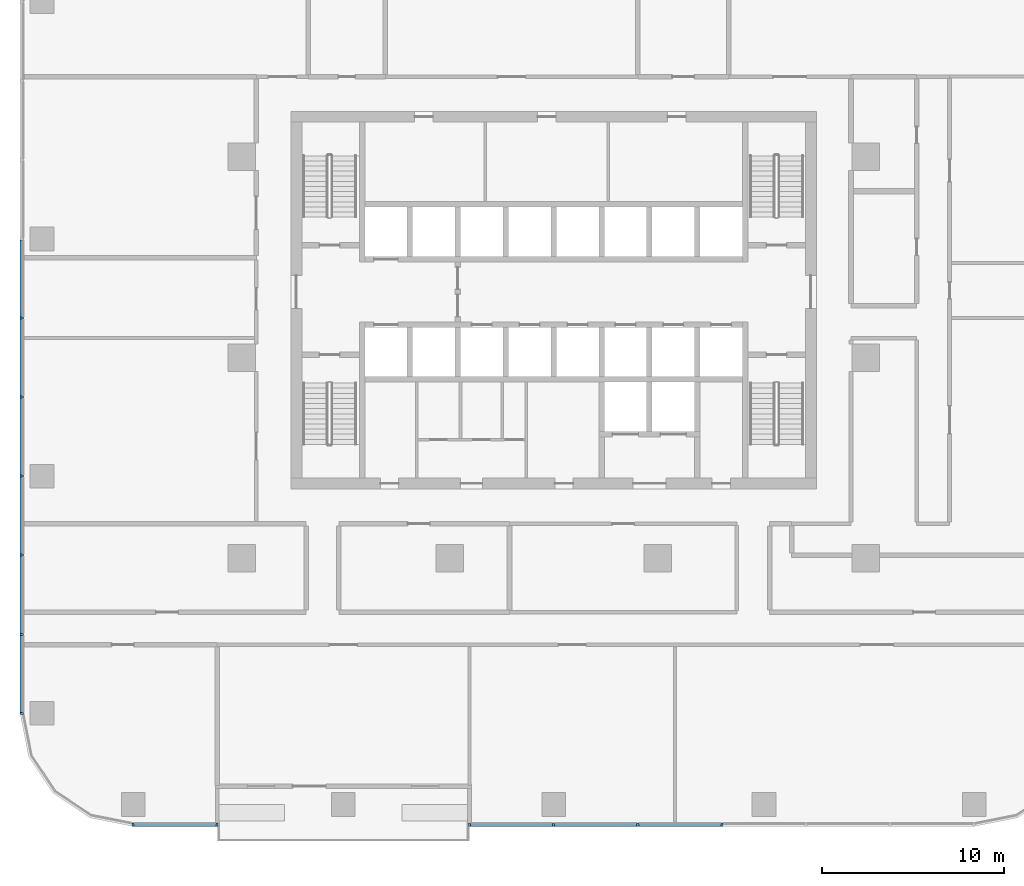
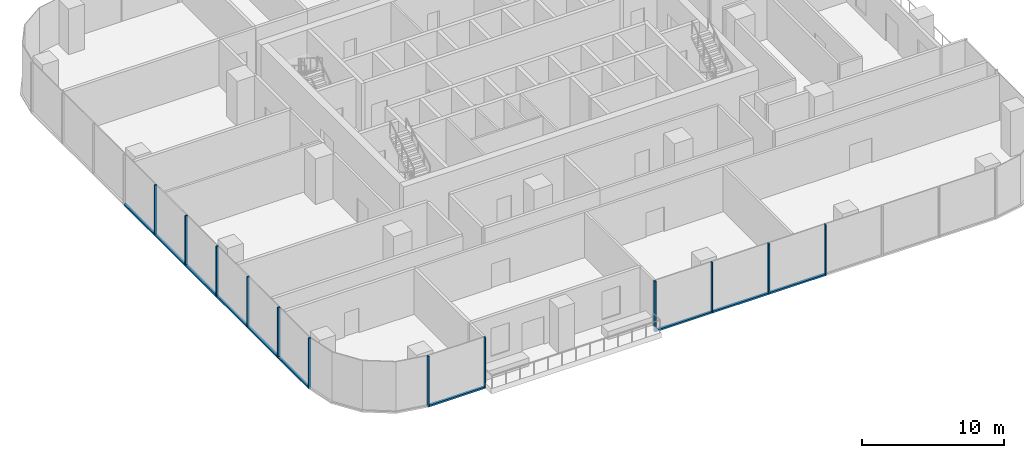
# One storey, part 2 of 14: 22 members, 3 elements without a shape of their own.
"""IFC4 building model written with IfcOpenShell, lengths in metres."""

from ifc_helpers import new_model, si_unit, direction, frame, origin, origin_2d, place, context, subcontext, project, spatial, rectangle, extrude, material, material_profile, profile_set, type_object, element, aggregate, save


model = new_model("IFC4")

# Units and contexts
model_context = context("Model", 3, precision=1e-05, world=origin(), true_north=direction((0.0, 1.0)))
body_context = subcontext(model_context, "Body", "Model", "MODEL_VIEW")
ifc_project = project(units=[si_unit("LENGTHUNIT", "METRE"), si_unit("AREAUNIT", "SQUARE_METRE"), si_unit("VOLUMEUNIT", "CUBIC_METRE"), si_unit("PLANEANGLEUNIT", "RADIAN"), si_unit("MASSUNIT", "GRAM", prefix="KILO")], contexts=[model_context])

# Site, building, storey
site_placement = place(None, origin())
site = spatial("IfcSite", under=ifc_project, at=site_placement, CompositionType="ELEMENT")
building_placement = place(site_placement, origin())
building = spatial("IfcBuilding", under=site, at=building_placement, Name="Mopane Tessera Tower", CompositionType="ELEMENT")
storey_placement = place(building_placement, frame((0.0, 0.0, 144.10009765625)))
storey = spatial("IfcBuildingStorey", under=building, at=storey_placement, Name="L29", CompositionType="ELEMENT", Elevation=144.10009765625)

# Curtain wall, members
ifc_material_1 = material(Name="Aluminium frame", Category="aluminium")
curtain_wall_type = type_object("IfcCurtainWallType", Name="Lower tower unitised wall", PredefinedType="NOTDEFINED", material=ifc_material_1)
curtain_wall_1_placement = place(storey_placement, origin())
curtain_wall_1 = element("IfcCurtainWall", 1, at=curtain_wall_1_placement, inside=storey, type_object=curtain_wall_type, Name="e:cw:L29:S:0", PredefinedType="NOTDEFINED")
ifc_material_2 = material(Name="Aluminium frame", Category="aluminium")
ifc_material_profile_1 = material_profile(ifc_material_2, rectangle(XDim=0.110107421875, YDim=0.199951171875, at=origin_2d()))
ifc_profile_set_1 = profile_set([ifc_material_profile_1], Name="Aluminium frame")
member_type_1 = type_object("IfcMemberType", Name="Aluminium mullion 110 x 200", PredefinedType="MULLION", material=ifc_profile_set_1)
member_1_placement = place(storey_placement, frame((-23.050048828125, -25.60009765625, -0.4501953125), z_axis=(0.0, 0.0, 1.0), x_axis=(1.0, 0.0, 0.0)))
member_1 = element("IfcMember", 2, at=member_1_placement, type_object=member_type_1, Name="e:cw:L29:S:0:mu0", PredefinedType="MULLION", context=body_context, shape_type="SweptSolid", body=[
    extrude(rectangle(XDim=0.110107421875, YDim=0.199951171875, at=origin_2d()), origin(), (0.0, 0.0, 1.0), 4.35009765625),
])
member_2_placement = place(storey_placement, frame((-18.43994140625, -25.60009765625, -0.4501953125), z_axis=(0.0, 0.0, 1.0), x_axis=(1.0, 0.0, 0.0)))
member_2 = element("IfcMember", 3, at=member_2_placement, type_object=member_type_1, Name="e:cw:L29:S:0:mu1", PredefinedType="MULLION", context=body_context, shape_type="SweptSolid", body=[
    extrude(rectangle(XDim=0.110107421875, YDim=0.199951171875, at=origin_2d()), origin(), (0.0, 0.0, 1.0), 4.35009765625),
])

curtain_wall_2_placement = place(storey_placement, origin())
curtain_wall_2 = element("IfcCurtainWall", 4, at=curtain_wall_2_placement, inside=storey, type_object=curtain_wall_type, Name="e:cw:L29:S:4", PredefinedType="NOTDEFINED")
member_3_placement = place(storey_placement, frame((-4.610107421875, -25.60009765625, -0.4501953125), z_axis=(0.0, 0.0, 1.0), x_axis=(1.0, 0.0, 0.0)))
member_3 = element("IfcMember", 5, at=member_3_placement, type_object=member_type_1, Name="e:cw:L29:S:4:mu4", PredefinedType="MULLION", context=body_context, shape_type="SweptSolid", body=[
    extrude(rectangle(XDim=0.110107421875, YDim=0.199951171875, at=origin_2d()), origin(), (0.0, 0.0, 1.0), 4.35009765625),
])
member_4_placement = place(storey_placement, frame((0.0, -25.60009765625, -0.4501953125), z_axis=(0.0, 0.0, 1.0), x_axis=(1.0, 0.0, 0.0)))
member_4 = element("IfcMember", 6, at=member_4_placement, type_object=member_type_1, Name="e:cw:L29:S:4:mu5", PredefinedType="MULLION", context=body_context, shape_type="SweptSolid", body=[
    extrude(rectangle(XDim=0.110107421875, YDim=0.199951171875, at=origin_2d()), origin(), (0.0, 0.0, 1.0), 4.35009765625),
])
member_5_placement = place(storey_placement, frame((4.610107421875, -25.60009765625, -0.4501953125), z_axis=(0.0, 0.0, 1.0), x_axis=(1.0, 0.0, 0.0)))
member_5 = element("IfcMember", 7, at=member_5_placement, type_object=member_type_1, Name="e:cw:L29:S:4:mu6", PredefinedType="MULLION", context=body_context, shape_type="SweptSolid", body=[
    extrude(rectangle(XDim=0.110107421875, YDim=0.199951171875, at=origin_2d()), origin(), (0.0, 0.0, 1.0), 4.35009765625),
])
member_6_placement = place(storey_placement, frame((9.219970703125, -25.60009765625, -0.4501953125), z_axis=(0.0, 0.0, 1.0), x_axis=(1.0, 0.0, 0.0)))
member_6 = element("IfcMember", 8, at=member_6_placement, type_object=member_type_1, Name="e:cw:L29:S:4:mu7", PredefinedType="MULLION", context=body_context, shape_type="SweptSolid", body=[
    extrude(rectangle(XDim=0.110107421875, YDim=0.199951171875, at=origin_2d()), origin(), (0.0, 0.0, 1.0), 4.35009765625),
])

curtain_wall_3_placement = place(storey_placement, origin())
curtain_wall_3 = element("IfcCurtainWall", 9, at=curtain_wall_3_placement, inside=storey, type_object=curtain_wall_type, Name="e:cw:L29:W:0", PredefinedType="NOTDEFINED")
member_7_placement = place(storey_placement, frame((-29.14990234375, 2.166748046875, -0.4501953125), z_axis=(0.0, 0.0, 1.0), x_axis=(0.0, -1.0, 0.0)))
member_7 = element("IfcMember", 10, at=member_7_placement, type_object=member_type_1, Name="e:cw:L29:W:0:mu4", PredefinedType="MULLION", context=body_context, shape_type="SweptSolid", body=[
    extrude(rectangle(XDim=0.110107421875, YDim=0.199951171875, at=origin_2d()), origin(), (0.0, 0.0, 1.0), 4.35009765625),
])
member_8_placement = place(storey_placement, frame((-29.14990234375, -2.166748046875, -0.4501953125), z_axis=(0.0, 0.0, 1.0), x_axis=(0.0, -1.0, 0.0)))
member_8 = element("IfcMember", 11, at=member_8_placement, type_object=member_type_1, Name="e:cw:L29:W:0:mu5", PredefinedType="MULLION", context=body_context, shape_type="SweptSolid", body=[
    extrude(rectangle(XDim=0.110107421875, YDim=0.199951171875, at=origin_2d()), origin(), (0.0, 0.0, 1.0), 4.35009765625),
])
member_9_placement = place(storey_placement, frame((-29.14990234375, -6.5, -0.4501953125), z_axis=(0.0, 0.0, 1.0), x_axis=(0.0, -1.0, 0.0)))
member_9 = element("IfcMember", 12, at=member_9_placement, type_object=member_type_1, Name="e:cw:L29:W:0:mu6", PredefinedType="MULLION", context=body_context, shape_type="SweptSolid", body=[
    extrude(rectangle(XDim=0.110107421875, YDim=0.199951171875, at=origin_2d()), origin(), (0.0, 0.0, 1.0), 4.35009765625),
])
member_10_placement = place(storey_placement, frame((-29.14990234375, -10.833251953125, -0.4501953125), z_axis=(0.0, 0.0, 1.0), x_axis=(0.0, -1.0, 0.0)))
member_10 = element("IfcMember", 13, at=member_10_placement, type_object=member_type_1, Name="e:cw:L29:W:0:mu7", PredefinedType="MULLION", context=body_context, shape_type="SweptSolid", body=[
    extrude(rectangle(XDim=0.110107421875, YDim=0.199951171875, at=origin_2d()), origin(), (0.0, 0.0, 1.0), 4.35009765625),
])
member_11_placement = place(storey_placement, frame((-29.14990234375, -15.166748046875, -0.4501953125), z_axis=(0.0, 0.0, 1.0), x_axis=(0.0, -1.0, 0.0)))
member_11 = element("IfcMember", 14, at=member_11_placement, type_object=member_type_1, Name="e:cw:L29:W:0:mu8", PredefinedType="MULLION", context=body_context, shape_type="SweptSolid", body=[
    extrude(rectangle(XDim=0.110107421875, YDim=0.199951171875, at=origin_2d()), origin(), (0.0, 0.0, 1.0), 4.35009765625),
])
member_12_placement = place(storey_placement, frame((-29.14990234375, -19.5, -0.4501953125), z_axis=(0.0, 0.0, 1.0), x_axis=(0.0, -1.0, 0.0)))
member_12 = element("IfcMember", 15, at=member_12_placement, type_object=member_type_1, Name="e:cw:L29:W:0:mu9", PredefinedType="MULLION", context=body_context, shape_type="SweptSolid", body=[
    extrude(rectangle(XDim=0.110107421875, YDim=0.199951171875, at=origin_2d()), origin(), (0.0, 0.0, 1.0), 4.35009765625),
])

# Member
ifc_material_3 = material(Name="Aluminium frame", Category="aluminium")
ifc_material_profile_2 = material_profile(ifc_material_3, rectangle(XDim=0.199951171875, YDim=0.139892578125, at=origin_2d()))
ifc_profile_set_2 = profile_set([ifc_material_profile_2], Name="Aluminium frame")
member_type_2 = type_object("IfcMemberType", Name="Aluminium transom 200 x 140", PredefinedType="USERDEFINED", material=ifc_profile_set_2)
member_13_placement = place(storey_placement, frame((-22.9951171875, -25.60009765625, -0.380126953125), z_axis=(1.0, 0.0, 0.0), x_axis=(0.0, 1.0, 0.0)))
member_13 = element("IfcMember", 16, at=member_13_placement, type_object=member_type_2, Name="e:cw:L29:S:0:tr0", ObjectType="TRANSOM", PredefinedType="USERDEFINED", context=body_context, shape_type="SweptSolid", body=[
    extrude(rectangle(XDim=0.199951171875, YDim=0.139892578125, at=origin_2d()), origin(), (0.0, 0.0, 1.0), 4.5),
])

aggregate(curtain_wall_1, [member_1, member_2, member_13])

member_14_placement = place(storey_placement, frame((-4.554931640625, -25.60009765625, -0.380126953125), z_axis=(1.0, 0.0, 0.0), x_axis=(0.0, 1.0, 0.0)))
member_14 = element("IfcMember", 17, at=member_14_placement, type_object=member_type_2, Name="e:cw:L29:S:4:tr4", ObjectType="TRANSOM", PredefinedType="USERDEFINED", context=body_context, shape_type="SweptSolid", body=[
    extrude(rectangle(XDim=0.199951171875, YDim=0.139892578125, at=origin_2d()), origin(), (0.0, 0.0, 1.0), 4.5),
])

member_15_placement = place(storey_placement, frame((0.054931640625, -25.60009765625, -0.380126953125), z_axis=(1.0, 0.0, 0.0), x_axis=(0.0, 1.0, 0.0)))
member_15 = element("IfcMember", 18, at=member_15_placement, type_object=member_type_2, Name="e:cw:L29:S:4:tr5", ObjectType="TRANSOM", PredefinedType="USERDEFINED", context=body_context, shape_type="SweptSolid", body=[
    extrude(rectangle(XDim=0.199951171875, YDim=0.139892578125, at=origin_2d()), origin(), (0.0, 0.0, 1.0), 4.5),
])

member_16_placement = place(storey_placement, frame((4.6650390625, -25.60009765625, -0.380126953125), z_axis=(1.0, 0.0, 0.0), x_axis=(0.0, 1.0, 0.0)))
member_16 = element("IfcMember", 19, at=member_16_placement, type_object=member_type_2, Name="e:cw:L29:S:4:tr6", ObjectType="TRANSOM", PredefinedType="USERDEFINED", context=body_context, shape_type="SweptSolid", body=[
    extrude(rectangle(XDim=0.199951171875, YDim=0.139892578125, at=origin_2d()), origin(), (0.0, 0.0, 1.0), 4.5),
])

aggregate(curtain_wall_2, [member_3, member_4, member_5, member_6, member_14, member_15, member_16])

member_17_placement = place(storey_placement, frame((-29.14990234375, 6.445068359375, -0.380126953125), z_axis=(0.0, -1.0, 0.0), x_axis=(1.0, 0.0, 0.0)))
member_17 = element("IfcMember", 20, at=member_17_placement, type_object=member_type_2, Name="e:cw:L29:W:0:tr3", ObjectType="TRANSOM", PredefinedType="USERDEFINED", context=body_context, shape_type="SweptSolid", body=[
    extrude(rectangle(XDim=0.199951171875, YDim=0.139892578125, at=origin_2d()), origin(), (0.0, 0.0, 1.0), 4.223388671875),
])

member_18_placement = place(storey_placement, frame((-29.14990234375, 2.111572265625, -0.380126953125), z_axis=(0.0, -1.0, 0.0), x_axis=(1.0, 0.0, 0.0)))
member_18 = element("IfcMember", 21, at=member_18_placement, type_object=member_type_2, Name="e:cw:L29:W:0:tr4", ObjectType="TRANSOM", PredefinedType="USERDEFINED", context=body_context, shape_type="SweptSolid", body=[
    extrude(rectangle(XDim=0.199951171875, YDim=0.139892578125, at=origin_2d()), origin(), (0.0, 0.0, 1.0), 4.22314453125),
])

member_19_placement = place(storey_placement, frame((-29.14990234375, -2.2216796875, -0.380126953125), z_axis=(0.0, -1.0, 0.0), x_axis=(1.0, 0.0, 0.0)))
member_19 = element("IfcMember", 22, at=member_19_placement, type_object=member_type_2, Name="e:cw:L29:W:0:tr5", ObjectType="TRANSOM", PredefinedType="USERDEFINED", context=body_context, shape_type="SweptSolid", body=[
    extrude(rectangle(XDim=0.199951171875, YDim=0.139892578125, at=origin_2d()), origin(), (0.0, 0.0, 1.0), 4.223388671875),
])

member_20_placement = place(storey_placement, frame((-29.14990234375, -6.554931640625, -0.380126953125), z_axis=(0.0, -1.0, 0.0), x_axis=(1.0, 0.0, 0.0)))
member_20 = element("IfcMember", 23, at=member_20_placement, type_object=member_type_2, Name="e:cw:L29:W:0:tr6", ObjectType="TRANSOM", PredefinedType="USERDEFINED", context=body_context, shape_type="SweptSolid", body=[
    extrude(rectangle(XDim=0.199951171875, YDim=0.139892578125, at=origin_2d()), origin(), (0.0, 0.0, 1.0), 4.223388671875),
])

member_21_placement = place(storey_placement, frame((-29.14990234375, -10.888427734375, -0.380126953125), z_axis=(0.0, -1.0, 0.0), x_axis=(1.0, 0.0, 0.0)))
member_21 = element("IfcMember", 24, at=member_21_placement, type_object=member_type_2, Name="e:cw:L29:W:0:tr7", ObjectType="TRANSOM", PredefinedType="USERDEFINED", context=body_context, shape_type="SweptSolid", body=[
    extrude(rectangle(XDim=0.199951171875, YDim=0.139892578125, at=origin_2d()), origin(), (0.0, 0.0, 1.0), 4.22314453125),
])

member_22_placement = place(storey_placement, frame((-29.14990234375, -15.2216796875, -0.380126953125), z_axis=(0.0, -1.0, 0.0), x_axis=(1.0, 0.0, 0.0)))
member_22 = element("IfcMember", 25, at=member_22_placement, type_object=member_type_2, Name="e:cw:L29:W:0:tr8", ObjectType="TRANSOM", PredefinedType="USERDEFINED", context=body_context, shape_type="SweptSolid", body=[
    extrude(rectangle(XDim=0.199951171875, YDim=0.139892578125, at=origin_2d()), origin(), (0.0, 0.0, 1.0), 4.223388671875),
])

aggregate(curtain_wall_3, [member_7, member_8, member_9, member_10, member_11, member_12, member_17, member_18, member_19, member_20, member_21, member_22])

save(model, "model.ifc")
